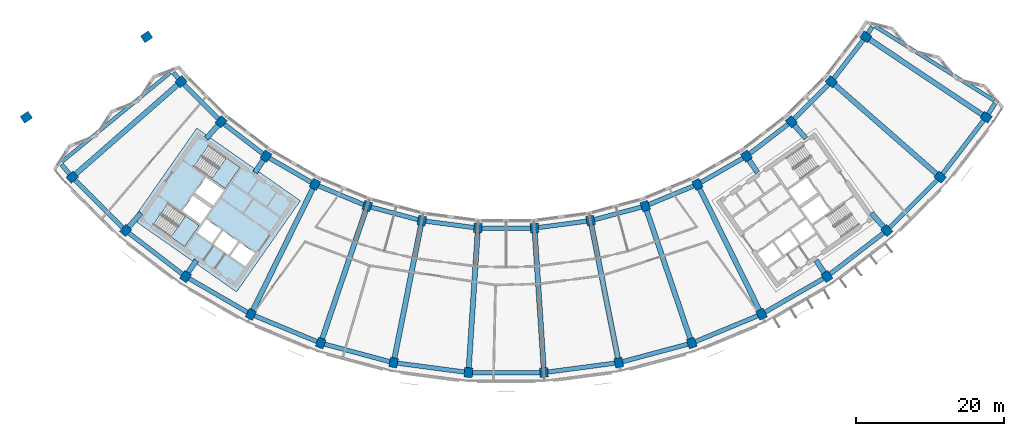
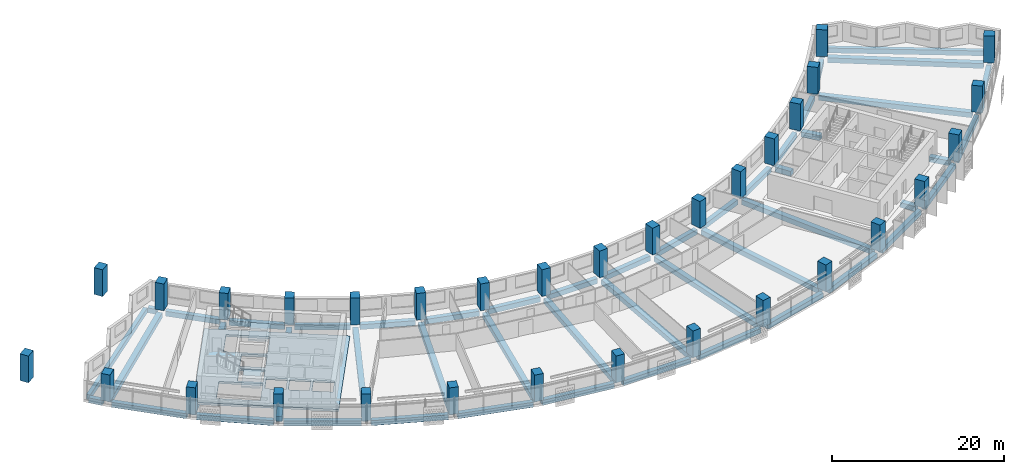
# One storey, part 1 of 26: 53 beams, 32 columns, 3 slabs, 2 elements without a shape of their own.
"""IFC4 building model written with IfcOpenShell, lengths in metres."""

from ifc_helpers import new_model, si_unit, direction, frame, origin, origin_2d, place, context, subcontext, project, spatial, polyline, rectangle, outline, extrude, material, layer, layer_set, material_profile, profile_set, type_object, element, aggregate, save


model = new_model("IFC4")

# Units and contexts
model_context = context("Model", 3, precision=1e-05, world=origin(), true_north=direction((0.0, 1.0)))
body_context = subcontext(model_context, "Body", "Model", "MODEL_VIEW")
ifc_project = project(units=[si_unit("LENGTHUNIT", "METRE"), si_unit("AREAUNIT", "SQUARE_METRE"), si_unit("VOLUMEUNIT", "CUBIC_METRE"), si_unit("PLANEANGLEUNIT", "RADIAN"), si_unit("MASSUNIT", "GRAM", prefix="KILO")], contexts=[model_context])

# Site, building, storey
site_placement = place(None, origin())
site = spatial("IfcSite", under=ifc_project, at=site_placement, CompositionType="ELEMENT")
building_placement = place(site_placement, origin())
building = spatial("IfcBuilding", under=site, at=building_placement, Name="Qamariyya Broadcast Tower", CompositionType="ELEMENT")
storey_placement = place(building_placement, frame((0.0, 0.0, 168.300048828125)))
storey = spatial("IfcBuildingStorey", under=building, at=storey_placement, Name="L39", CompositionType="ELEMENT", Elevation=168.300048828125)

# Columns
ifc_material_1 = material(Name="Concrete C60/75", Category="concrete")
ifc_material_profile_1 = material_profile(ifc_material_1, rectangle(XDim=1.10009765625, YDim=1.300048828125, at=origin_2d()))
ifc_profile_set_1 = profile_set([ifc_material_profile_1], Name="Concrete C60/75")
column_type = type_object("IfcColumnType", Name="RC column 1100 x 1300 C60/75", PredefinedType="COLUMN", material=ifc_profile_set_1)
for number, where, z_axis, x_axis, name in (
    (1, (-43.794677734375, -38.406982421875, 0.0), (0.0, 0.0, 1.0), (0.6593458151, -0.751839807479, 0.0), "Column C8 L39 B-R04"),
    (2, (-58.45556640625, -51.26416015625, 0.0), (0.0, 0.0, 1.0), (0.6593458151, -0.751839807479, 0.0), "Column C8 L39 C-R04"),
    (3, (-38.406982421875, -43.794677734375, 0.0), (0.0, 0.0, 1.0), (0.751839807479, -0.6593458151, 0.0), "Column C8 L39 B-R05"),
    (4, (-51.26416015625, -58.45556640625, 0.0), (0.0, 0.0, 1.0), (0.751839807479, -0.6593458151, 0.0), "Column C8 L39 C-R05"),
    (5, (-32.362060546875, -48.43310546875, 0.0), (0.0, 0.0, 1.0), (0.831469612303, -0.55557023302, 0.0), "Column C8 L39 B-R06"),
    (6, (-43.195556640625, -64.646728515625, 0.0), (0.0, 0.0, 1.0), (0.831469612303, -0.55557023302, 0.0), "Column C8 L39 C-R06"),
    (7, (-25.763427734375, -52.242919921875, 0.0), (0.0, 0.0, 1.0), (0.896872741533, -0.442288690219, 0.0), "Column C8 L39 B-R07"),
    (8, (-34.387939453125, -69.73193359375, 0.0), (0.0, 0.0, 1.0), (0.896872741533, -0.442288690219, 0.0), "Column C8 L39 C-R07"),
    (9, (-18.723876953125, -55.15869140625, 0.0), (0.0, 0.0, 1.0), (0.946930129495, -0.321439465303, 0.0), "Column C8 L39 B-R08"),
    (10, (-24.991943359375, -73.623779296875, 0.0), (0.0, 0.0, 1.0), (0.946930129495, -0.321439465303, 0.0), "Column C8 L39 C-R08"),
    (11, (-11.364013671875, -57.130859375, 0.0), (0.0, 0.0, 1.0), (0.980785280403, -0.195090322016, 0.0), "Column C8 L39 B-R09"),
    (12, (-15.168212890625, -76.256103515625, 0.0), (0.0, 0.0, 1.0), (0.980785280403, -0.195090322016, 0.0), "Column C8 L39 C-R09"),
    (13, (-3.809814453125, -58.125244140625, 0.0), (0.0, 0.0, 1.0), (0.997858923239, -0.06540312923, 0.0), "Column C8 L39 B-R10"),
    (14, (-5.085205078125, -77.58349609375, 0.0), (0.0, 0.0, 1.0), (0.997858923239, -0.06540312923, 0.0), "Column C8 L39 C-R10"),
    (15, (3.809814453125, -58.125244140625, 0.0), (0.0, 0.0, 1.0), (0.997858923239, 0.06540312923, 0.0), "Column C8 L39 B-R11"),
    (16, (5.085205078125, -77.58349609375, 0.0), (0.0, 0.0, 1.0), (0.997858923239, 0.06540312923, 0.0), "Column C8 L39 C-R11"),
    (17, (11.364013671875, -57.130859375, 0.0), (0.0, 0.0, 1.0), (0.980785280403, 0.195090322016, 0.0), "Column C8 L39 B-R12"),
    (18, (15.168212890625, -76.256103515625, 0.0), (0.0, 0.0, 1.0), (0.980785280403, 0.195090322016, 0.0), "Column C8 L39 C-R12"),
    (19, (18.723876953125, -55.15869140625, 0.0), (0.0, 0.0, 1.0), (0.946930129495, 0.321439465303, 0.0), "Column C8 L39 B-R13"),
    (20, (24.991943359375, -73.623779296875, 0.0), (0.0, 0.0, 1.0), (0.946930129495, 0.321439465303, 0.0), "Column C8 L39 C-R13"),
    (21, (25.763427734375, -52.242919921875, 0.0), (0.0, 0.0, 1.0), (0.896872741533, 0.442288690219, 0.0), "Column C8 L39 B-R14"),
    (22, (34.387939453125, -69.73193359375, 0.0), (0.0, 0.0, 1.0), (0.896872741533, 0.442288690219, 0.0), "Column C8 L39 C-R14"),
    (23, (32.362060546875, -48.43310546875, 0.0), (0.0, 0.0, 1.0), (0.831469612303, 0.55557023302, 0.0), "Column C8 L39 B-R15"),
    (24, (43.195556640625, -64.646728515625, 0.0), (0.0, 0.0, 1.0), (0.831469612303, 0.55557023302, 0.0), "Column C8 L39 C-R15"),
    (25, (38.406982421875, -43.794677734375, 0.0), (0.0, 0.0, 1.0), (0.751839807479, 0.6593458151, 0.0), "Column C8 L39 B-R16"),
    (26, (51.26416015625, -58.45556640625, 0.0), (0.0, 0.0, 1.0), (0.751839807479, 0.6593458151, 0.0), "Column C8 L39 C-R16"),
    (27, (43.794677734375, -38.406982421875, 0.0), (0.0, 0.0, 1.0), (0.6593458151, 0.751839807479, 0.0), "Column C8 L39 B-R17"),
    (28, (58.45556640625, -51.26416015625, 0.0), (0.0, 0.0, 1.0), (0.6593458151, 0.751839807479, 0.0), "Column C8 L39 C-R17"),
    (29, (48.43310546875, -32.362060546875, 0.0), (0.0, 0.0, 1.0), (0.55557023302, 0.831469612303, 0.0), "Column C8 L39 B-R18"),
    (30, (64.646728515625, -43.195556640625, 0.0), (0.0, 0.0, 1.0), (0.55557023302, 0.831469612303, 0.0), "Column C8 L39 C-R18"),
    (31, (-48.43310546875, -32.362060546875, 0.0), (0.0, 0.0, 1.0), (0.55557023302, -0.831469612303, 0.0), "Column C8 L39 B-R03"),
    (32, (-64.646728515625, -43.195556640625, 0.0), (0.0, 0.0, 1.0), (0.55557023302, -0.831469612303, 0.0), "Column C8 L39 C-R03"),
):
    element("IfcColumn", number, at=place(storey_placement, frame(where, z_axis=z_axis, x_axis=x_axis)), inside=storey, type_object=column_type, Name=name, PredefinedType="COLUMN", context=body_context, shape_type="SweptSolid", body=[
        extrude(rectangle(XDim=1.10009765625, YDim=1.300048828125, at=origin_2d()), origin(), (0.0, 0.0, 1.0), 3.800048828125),
    ])

# Beams
ifc_material_2 = material(Name="Concrete C40/50", Category="concrete")
ifc_material_profile_2 = material_profile(ifc_material_2, rectangle(XDim=0.60009765625, YDim=0.699951171875, at=origin_2d()))
ifc_profile_set_2 = profile_set([ifc_material_profile_2], Name="Concrete C40/50")
beam_type_1 = type_object("IfcBeamType", Name="RC edge beam 600 x 700 C40/50", PredefinedType="SPANDREL", material=ifc_profile_set_2)
for number, where, z_axis, x_axis, name in (
    (33, (-43.405029296875, -38.796630859375, -0.650146484375), (0.707106781187, -0.707106781187, 0.0), (0.707106781187, 0.707106781187, 0.0), "Edge beam B20 L39 B R04-R05"),
    (34, (-37.9697265625, -44.130126953125, -0.650146484375), (0.793343406719, -0.608774374473, 0.0), (0.608774374473, 0.793343406719, 0.0), "Edge beam B20 L39 B R05-R06"),
):
    element("IfcBeam", number, at=place(storey_placement, frame(where, z_axis=z_axis, x_axis=x_axis)), inside=storey, type_object=beam_type_1, Name=name, PredefinedType="SPANDREL", context=body_context, shape_type="SweptSolid", body=[
        extrude(rectangle(XDim=0.60009765625, YDim=0.699951171875, at=origin_2d()), origin(), (0.0, 0.0, 1.0), 6.517333984375),
    ])
beam_1_placement = place(storey_placement, frame((-31.884521484375, -48.708740234375, -0.650146484375), z_axis=(0.866019015165, -0.500011065251, 0.0), x_axis=(0.500011065251, 0.866019015165, 0.0)))
element("IfcBeam", 35, at=beam_1_placement, inside=storey, type_object=beam_type_1, Name="Edge beam B20 L39 B R06-R07", PredefinedType="SPANDREL", context=body_context, shape_type="SweptSolid", body=[
    extrude(rectangle(XDim=0.60009765625, YDim=0.699951171875, at=origin_2d()), origin(), (0.0, 0.0, 1.0), 6.516845703125),
])
for number, where, z_axis, x_axis, name in (
    (36, (-25.254150390625, -52.453857421875, -0.650146484375), (0.923883967792, -0.382672724475, 0.0), (0.382672724475, 0.923883967792, 0.0), "Edge beam B20 L39 B R07-R08"),
    (37, (-18.19140625, -55.30126953125, -0.650146484375), (0.965923971679, -0.258825966504, 0.0), (0.258825966504, 0.965923971679, 0.0), "Edge beam B20 L39 B R08-R09"),
    (38, (-10.817626953125, -57.20263671875, -0.650146484375), (0.991446388377, -0.130514592953, 0.0), (0.130514592953, 0.991446388377, 0.0), "Edge beam B20 L39 B R09-R10"),
    (39, (-3.258544921875, -58.125244140625, -0.650146484375), (1.0, 0.0, 0.0), (0.0, 1.0, 0.0), "Edge beam B20 L39 B R10-R11"),
    (40, (4.356201171875, -58.05322265625, -0.650146484375), (0.991446388377, 0.130514592953, 0.0), (-0.130514592953, 0.991446388377, 0.0), "Edge beam B20 L39 B R11-R12"),
    (41, (11.896484375, -56.988037109375, -0.650146484375), (0.965923971679, 0.258825966504, 0.0), (-0.258825966504, 0.965923971679, 0.0), "Edge beam B20 L39 B R12-R13"),
    (42, (19.233154296875, -54.94775390625, -0.650146484375), (0.923883967792, 0.382672724475, 0.0), (-0.382672724475, 0.923883967792, 0.0), "Edge beam B20 L39 B R13-R14"),
):
    element("IfcBeam", number, at=place(storey_placement, frame(where, z_axis=z_axis, x_axis=x_axis)), inside=storey, type_object=beam_type_1, Name=name, PredefinedType="SPANDREL", context=body_context, shape_type="SweptSolid", body=[
        extrude(rectangle(XDim=0.60009765625, YDim=0.699951171875, at=origin_2d()), origin(), (0.0, 0.0, 1.0), 6.51708984375),
    ])
beam_2_placement = place(storey_placement, frame((26.24072265625, -51.96728515625, -0.650146484375), z_axis=(0.866019015165, 0.500011065251, 0.0), x_axis=(-0.500011065251, 0.866019015165, 0.0)))
element("IfcBeam", 43, at=beam_2_placement, inside=storey, type_object=beam_type_1, Name="Edge beam B20 L39 B R14-R15", PredefinedType="SPANDREL", context=body_context, shape_type="SweptSolid", body=[
    extrude(rectangle(XDim=0.60009765625, YDim=0.699951171875, at=origin_2d()), origin(), (0.0, 0.0, 1.0), 6.516845703125),
])
for number, where, z_axis, x_axis, name in (
    (44, (32.79931640625, -48.09765625, -0.650146484375), (0.793343406719, 0.608774374473, 0.0), (-0.608774374473, 0.793343406719, 0.0), "Edge beam B20 L39 B R15-R16"),
    (45, (38.796630859375, -43.405029296875, -0.650146484375), (0.707106781187, 0.707106781187, 0.0), (-0.707106781187, 0.707106781187, 0.0), "Edge beam B20 L39 B R16-R17"),
    (46, (44.130126953125, -37.9697265625, -0.650146484375), (0.608774374473, 0.793343406719, 0.0), (-0.793343406719, 0.608774374473, 0.0), "Edge beam B20 L39 B R17-R18"),
):
    element("IfcBeam", number, at=place(storey_placement, frame(where, z_axis=z_axis, x_axis=x_axis)), inside=storey, type_object=beam_type_1, Name=name, PredefinedType="SPANDREL", context=body_context, shape_type="SweptSolid", body=[
        extrude(rectangle(XDim=0.60009765625, YDim=0.699951171875, at=origin_2d()), origin(), (0.0, 0.0, 1.0), 6.517333984375),
    ])
beam_3_placement = place(storey_placement, frame((-58.06591796875, -51.65380859375, -0.650146484375), z_axis=(0.707106781187, -0.707106781187, 0.0), x_axis=(0.707106781187, 0.707106781187, 0.0)))
element("IfcBeam", 47, at=beam_3_placement, inside=storey, type_object=beam_type_1, Name="Edge beam B20 L39 C R04-R05", PredefinedType="SPANDREL", context=body_context, shape_type="SweptSolid", body=[
    extrude(rectangle(XDim=0.60009765625, YDim=0.699951171875, at=origin_2d()), origin(), (0.0, 0.0, 1.0), 9.068115234375),
])
for number, where, z_axis, x_axis, name in (
    (48, (-50.826904296875, -58.791015625, -0.650146484375), (0.793351056372, -0.608764405458, 0.0), (0.608764405458, 0.793351056372, 0.0), "Edge beam B20 L39 C R05-R06"),
    (49, (-42.71826171875, -64.92236328125, -0.650146484375), (0.866025972227, -0.499999015427, 0.0), (0.499999015427, 0.866025972227, 0.0), "Edge beam B20 L39 C R06-R07"),
):
    element("IfcBeam", number, at=place(storey_placement, frame(where, z_axis=z_axis, x_axis=x_axis)), inside=storey, type_object=beam_type_1, Name=name, PredefinedType="SPANDREL", context=body_context, shape_type="SweptSolid", body=[
        extrude(rectangle(XDim=0.60009765625, YDim=0.699951171875, at=origin_2d()), origin(), (0.0, 0.0, 1.0), 9.06787109375),
    ])
beam_4_placement = place(storey_placement, frame((-33.878662109375, -69.94287109375, -0.650146484375), z_axis=(0.923882618409, -0.382675982265, 0.0), x_axis=(0.382675982265, 0.923882618409, 0.0)))
element("IfcBeam", 50, at=beam_4_placement, inside=storey, type_object=beam_type_1, Name="Edge beam B20 L39 C R07-R08", PredefinedType="SPANDREL", context=body_context, shape_type="SweptSolid", body=[
    extrude(rectangle(XDim=0.60009765625, YDim=0.699951171875, at=origin_2d()), origin(), (0.0, 0.0, 1.0), 9.067626953125),
])
for number, where, z_axis, x_axis, name in (
    (51, (-24.45947265625, -73.766357421875, -0.650146484375), (0.965925457615, -0.258820421007, 0.0), (0.258820421007, 0.965925457615, 0.0), "Edge beam B20 L39 C R08-R09"),
    (52, (-14.621826171875, -76.327880859375, -0.650146484375), (0.991444762322, -0.130526944594, 0.0), (0.130526944594, 0.991444762322, 0.0), "Edge beam B20 L39 C R09-R10"),
    (53, (-4.533935546875, -77.58349609375, -0.650146484375), (1.0, 0.0, 0.0), (0.0, 1.0, 0.0), "Edge beam B20 L39 C R10-R11"),
    (54, (5.631591796875, -77.511474609375, -0.650146484375), (0.991444762322, 0.130526944594, 0.0), (-0.130526944594, 0.991444762322, 0.0), "Edge beam B20 L39 C R11-R12"),
    (55, (15.70068359375, -76.11328125, -0.650146484375), (0.965925457615, 0.258820421007, 0.0), (-0.258820421007, 0.965925457615, 0.0), "Edge beam B20 L39 C R12-R13"),
):
    element("IfcBeam", number, at=place(storey_placement, frame(where, z_axis=z_axis, x_axis=x_axis)), inside=storey, type_object=beam_type_1, Name=name, PredefinedType="SPANDREL", context=body_context, shape_type="SweptSolid", body=[
        extrude(rectangle(XDim=0.60009765625, YDim=0.699951171875, at=origin_2d()), origin(), (0.0, 0.0, 1.0), 9.06787109375),
    ])
beam_5_placement = place(storey_placement, frame((25.501220703125, -73.412841796875, -0.650146484375), z_axis=(0.923882618409, 0.382675982265, 0.0), x_axis=(-0.382675982265, 0.923882618409, 0.0)))
element("IfcBeam", 56, at=beam_5_placement, inside=storey, type_object=beam_type_1, Name="Edge beam B20 L39 C R13-R14", PredefinedType="SPANDREL", context=body_context, shape_type="SweptSolid", body=[
    extrude(rectangle(XDim=0.60009765625, YDim=0.699951171875, at=origin_2d()), origin(), (0.0, 0.0, 1.0), 9.067626953125),
])
for number, where, z_axis, x_axis, name in (
    (57, (34.865234375, -69.456298828125, -0.650146484375), (0.866025972227, 0.499999015427, 0.0), (-0.499999015427, 0.866025972227, 0.0), "Edge beam B20 L39 C R14-R15"),
    (58, (43.6328125, -64.311279296875, -0.650146484375), (0.793351056372, 0.608764405458, 0.0), (-0.608764405458, 0.793351056372, 0.0), "Edge beam B20 L39 C R15-R16"),
):
    element("IfcBeam", number, at=place(storey_placement, frame(where, z_axis=z_axis, x_axis=x_axis)), inside=storey, type_object=beam_type_1, Name=name, PredefinedType="SPANDREL", context=body_context, shape_type="SweptSolid", body=[
        extrude(rectangle(XDim=0.60009765625, YDim=0.699951171875, at=origin_2d()), origin(), (0.0, 0.0, 1.0), 9.06787109375),
    ])
beam_6_placement = place(storey_placement, frame((51.65380859375, -58.06591796875, -0.650146484375), z_axis=(0.707106781187, 0.707106781187, 0.0), x_axis=(-0.707106781187, 0.707106781187, 0.0)))
element("IfcBeam", 59, at=beam_6_placement, inside=storey, type_object=beam_type_1, Name="Edge beam B20 L39 C R16-R17", PredefinedType="SPANDREL", context=body_context, shape_type="SweptSolid", body=[
    extrude(rectangle(XDim=0.60009765625, YDim=0.699951171875, at=origin_2d()), origin(), (0.0, 0.0, 1.0), 9.068115234375),
])
beam_7_placement = place(storey_placement, frame((58.791015625, -50.826904296875, -0.650146484375), z_axis=(0.608764405458, 0.793351056372, 0.0), x_axis=(-0.793351056372, 0.608764405458, 0.0)))
element("IfcBeam", 60, at=beam_7_placement, inside=storey, type_object=beam_type_1, Name="Edge beam B20 L39 C R17-R18", PredefinedType="SPANDREL", context=body_context, shape_type="SweptSolid", body=[
    extrude(rectangle(XDim=0.60009765625, YDim=0.699951171875, at=origin_2d()), origin(), (0.0, 0.0, 1.0), 9.06787109375),
])
ifc_material_profile_3 = material_profile(ifc_material_2, rectangle(XDim=0.60009765625, YDim=0.699951171875, at=origin_2d()))
ifc_profile_set_3 = profile_set([ifc_material_profile_3], Name="Concrete C40/50")
beam_type_2 = type_object("IfcBeamType", Name="RC horn beam 600 x 700 C40/50", PredefinedType="BEAM", material=ifc_profile_set_3)
beam_8_placement = place(storey_placement, frame((-44.150634765625, -37.987548828125, -0.650146484375), z_axis=(-0.64732151686, 0.762217064759, 0.0), x_axis=(-0.762217064759, -0.64732151686, 0.0)))
element("IfcBeam", 61, at=beam_8_placement, inside=storey, type_object=beam_type_2, Name="Horn beam B19 L39 W B-R04", PredefinedType="BEAM", context=body_context, shape_type="SweptSolid", body=[
    extrude(rectangle(XDim=0.60009765625, YDim=0.699951171875, at=origin_2d()), origin(), (0.0, 0.0, 1.0), 1.0625),
])
beam_9_placement = place(storey_placement, frame((-58.8115234375, -50.8447265625, -0.650146484375), z_axis=(-0.647265756532, 0.762264416342, 0.0), x_axis=(-0.762264416342, -0.647265756532, 0.0)))
element("IfcBeam", 62, at=beam_9_placement, inside=storey, type_object=beam_type_2, Name="Horn beam B19 L39 W C-R04", PredefinedType="BEAM", context=body_context, shape_type="SweptSolid", body=[
    extrude(rectangle(XDim=0.60009765625, YDim=0.699951171875, at=origin_2d()), origin(), (0.0, 0.0, 1.0), 1.685546875),
])
beam_10_placement = place(storey_placement, frame((48.7314453125, -31.899658203125, -0.650146484375), z_axis=(0.542173983711, 0.840266250296, 0.0), x_axis=(-0.840266250296, 0.542173983711, 0.0)))
element("IfcBeam", 63, at=beam_10_placement, inside=storey, type_object=beam_type_2, Name="Horn beam B19 L39 E B-R18", PredefinedType="BEAM", context=body_context, shape_type="SweptSolid", body=[
    extrude(rectangle(XDim=0.60009765625, YDim=0.699951171875, at=origin_2d()), origin(), (0.0, 0.0, 1.0), 1.062255859375),
])
beam_11_placement = place(storey_placement, frame((64.945068359375, -42.7333984375, -0.650146484375), z_axis=(0.542206034257, 0.840245569114, 0.0), x_axis=(-0.840245569114, 0.542206034257, 0.0)))
element("IfcBeam", 64, at=beam_11_placement, inside=storey, type_object=beam_type_2, Name="Horn beam B19 L39 E C-R18", PredefinedType="BEAM", context=body_context, shape_type="SweptSolid", body=[
    extrude(rectangle(XDim=0.60009765625, YDim=0.699951171875, at=origin_2d()), origin(), (0.0, 0.0, 1.0), 1.685791015625),
])
ifc_material_profile_4 = material_profile(ifc_material_2, rectangle(XDim=0.5, YDim=0.699951171875, at=origin_2d()))
ifc_profile_set_4 = profile_set([ifc_material_profile_4], Name="Concrete C40/50")
beam_type_3 = type_object("IfcBeamType", Name="RC horn cap beam 500 x 700 C40/50", PredefinedType="BEAM", material=ifc_profile_set_4)
for number, where, z_axis, x_axis, name in (
    (65, (-45.23193359375, -37.177734375, -0.650146484375), (-0.77253320347, -0.634974369196, 0.0), (0.634974369196, -0.77253320347, 0.0), "Horn cap beam B21 L39 W B-C"),
    (66, (49.697509765625, -30.955810546875, -0.650146484375), (0.848808645241, -0.528700183246, 0.0), (0.528700183246, 0.848808645241, 0.0), "Horn cap beam B21 L39 E B-C"),
):
    element("IfcBeam", number, at=place(storey_placement, frame(where, z_axis=z_axis, x_axis=x_axis)), inside=storey, type_object=beam_type_3, Name=name, PredefinedType="BEAM", context=body_context, shape_type="SweptSolid", body=[
        extrude(rectangle(XDim=0.5, YDim=0.699951171875, at=origin_2d()), origin(), (0.0, 0.0, 1.0), 18.89990234375),
    ])
ifc_material_profile_5 = material_profile(ifc_material_2, rectangle(XDim=0.699951171875, YDim=0.699951171875, at=origin_2d()))
ifc_profile_set_5 = profile_set([ifc_material_profile_5], Name="Concrete C40/50")
beam_type_4 = type_object("IfcBeamType", Name="RC radial beam 700 x 700 C40/50", PredefinedType="BEAM", material=ifc_profile_set_5)
beam_12_placement = place(storey_placement, frame((-44.283447265625, -38.83544921875, -0.650146484375), z_axis=(-0.751839141307, -0.659346574723, 0.0), x_axis=(0.659346574723, -0.751839141307, 0.0)))
element("IfcBeam", 67, at=beam_12_placement, inside=storey, type_object=beam_type_4, Name="Radial beam B18 L39 R04 B-C", PredefinedType="BEAM", context=body_context, shape_type="SweptSolid", body=[
    extrude(rectangle(XDim=0.699951171875, YDim=0.699951171875, at=origin_2d()), origin(), (0.0, 0.0, 1.0), 18.199951171875),
])
beam_13_placement = place(storey_placement, frame((-38.83544921875, -44.283447265625, -0.650146484375), z_axis=(-0.659381501846, -0.751808509544, 0.0), x_axis=(0.751808509544, -0.659381501846, 0.0)))
element("IfcBeam", 68, at=beam_13_placement, inside=storey, type_object=beam_type_4, Name="Radial beam B18 L39 R05 B-C", PredefinedType="BEAM", context=body_context, shape_type="SweptSolid", body=[
    extrude(rectangle(XDim=0.699951171875, YDim=0.699951171875, at=origin_2d()), origin(), (0.0, 0.0, 1.0), 2.364013671875),
])
beam_14_placement = place(storey_placement, frame((-49.1943359375, -56.095458984375, -0.650146484375), z_axis=(-0.659344451764, -0.75184100309, 0.0), x_axis=(0.75184100309, -0.659344451764, 0.0)))
element("IfcBeam", 69, at=beam_14_placement, inside=storey, type_object=beam_type_4, Name="Radial beam B18 L39 R05 B-C", PredefinedType="BEAM", context=body_context, shape_type="SweptSolid", body=[
    extrude(rectangle(XDim=0.699951171875, YDim=0.699951171875, at=origin_2d()), origin(), (0.0, 0.0, 1.0), 2.489013671875),
])
beam_15_placement = place(storey_placement, frame((-32.72314453125, -48.9736328125, -0.650146484375), z_axis=(-0.555594913414, -0.83145312086, 0.0), x_axis=(0.83145312086, -0.555594913414, 0.0)))
element("IfcBeam", 70, at=beam_15_placement, inside=storey, type_object=beam_type_4, Name="Radial beam B18 L39 R06 B-C", PredefinedType="BEAM", context=body_context, shape_type="SweptSolid", body=[
    extrude(rectangle(XDim=0.699951171875, YDim=0.699951171875, at=origin_2d()), origin(), (0.0, 0.0, 1.0), 2.014404296875),
])
beam_16_placement = place(storey_placement, frame((-41.733154296875, -62.458251953125, -0.650146484375), z_axis=(-0.555637861027, -0.831424420734, 0.0), x_axis=(0.831424420734, -0.555637861027, 0.0)))
element("IfcBeam", 71, at=beam_16_placement, inside=storey, type_object=beam_type_4, Name="Radial beam B18 L39 R06 B-C", PredefinedType="BEAM", context=body_context, shape_type="SweptSolid", body=[
    extrude(rectangle(XDim=0.699951171875, YDim=0.699951171875, at=origin_2d()), origin(), (0.0, 0.0, 1.0), 1.982177734375),
])
beam_17_placement = place(storey_placement, frame((-26.05078125, -52.82568359375, -0.650146484375), z_axis=(-0.44228110273, -0.896876483228, 0.0), x_axis=(0.896876483228, -0.44228110273, 0.0)))
element("IfcBeam", 72, at=beam_17_placement, inside=storey, type_object=beam_type_4, Name="Radial beam B18 L39 R07 B-C", PredefinedType="BEAM", context=body_context, shape_type="SweptSolid", body=[
    extrude(rectangle(XDim=0.699951171875, YDim=0.699951171875, at=origin_2d()), origin(), (0.0, 0.0, 1.0), 18.2001953125),
])
beam_18_placement = place(storey_placement, frame((-18.932861328125, -55.774169921875, -0.650146484375), z_axis=(-0.321434466477, -0.946931826353, 0.0), x_axis=(0.946931826353, -0.321434466477, 0.0)))
element("IfcBeam", 73, at=beam_18_placement, inside=storey, type_object=beam_type_4, Name="Radial beam B18 L39 R08 B-C", PredefinedType="BEAM", context=body_context, shape_type="SweptSolid", body=[
    extrude(rectangle(XDim=0.699951171875, YDim=0.699951171875, at=origin_2d()), origin(), (0.0, 0.0, 1.0), 18.199951171875),
])
beam_19_placement = place(storey_placement, frame((-11.49072265625, -57.768310546875, -0.650146484375), z_axis=(-0.195097061093, -0.980783939893, 0.0), x_axis=(0.980783939893, -0.195097061093, 0.0)))
element("IfcBeam", 74, at=beam_19_placement, inside=storey, type_object=beam_type_4, Name="Radial beam B18 L39 R09 B-C", PredefinedType="BEAM", context=body_context, shape_type="SweptSolid", body=[
    extrude(rectangle(XDim=0.699951171875, YDim=0.699951171875, at=origin_2d()), origin(), (0.0, 0.0, 1.0), 18.2001953125),
])
for number, where, z_axis, x_axis, name in (
    (75, (-3.852294921875, -58.77392578125, -0.650146484375), (-0.065395361188, -0.997859432353, 0.0), (0.997859432353, -0.065395361188, 0.0), "Radial beam B18 L39 R10 B-C"),
    (76, (3.852294921875, -58.77392578125, -0.650146484375), (0.065395361188, -0.997859432353, 0.0), (0.997859432353, 0.065395361188, 0.0), "Radial beam B18 L39 R11 B-C"),
):
    element("IfcBeam", number, at=place(storey_placement, frame(where, z_axis=z_axis, x_axis=x_axis)), inside=storey, type_object=beam_type_4, Name=name, PredefinedType="BEAM", context=body_context, shape_type="SweptSolid", body=[
        extrude(rectangle(XDim=0.699951171875, YDim=0.699951171875, at=origin_2d()), origin(), (0.0, 0.0, 1.0), 18.199951171875),
    ])
beam_20_placement = place(storey_placement, frame((11.49072265625, -57.768310546875, -0.650146484375), z_axis=(0.195097061093, -0.980783939893, 0.0), x_axis=(0.980783939893, 0.195097061093, 0.0)))
element("IfcBeam", 77, at=beam_20_placement, inside=storey, type_object=beam_type_4, Name="Radial beam B18 L39 R12 B-C", PredefinedType="BEAM", context=body_context, shape_type="SweptSolid", body=[
    extrude(rectangle(XDim=0.699951171875, YDim=0.699951171875, at=origin_2d()), origin(), (0.0, 0.0, 1.0), 18.2001953125),
])
beam_21_placement = place(storey_placement, frame((18.932861328125, -55.774169921875, -0.650146484375), z_axis=(0.321434466477, -0.946931826353, 0.0), x_axis=(0.946931826353, 0.321434466477, 0.0)))
element("IfcBeam", 78, at=beam_21_placement, inside=storey, type_object=beam_type_4, Name="Radial beam B18 L39 R13 B-C", PredefinedType="BEAM", context=body_context, shape_type="SweptSolid", body=[
    extrude(rectangle(XDim=0.699951171875, YDim=0.699951171875, at=origin_2d()), origin(), (0.0, 0.0, 1.0), 18.199951171875),
])
beam_22_placement = place(storey_placement, frame((26.05078125, -52.82568359375, -0.650146484375), z_axis=(0.44228110273, -0.896876483228, 0.0), x_axis=(0.896876483228, 0.44228110273, 0.0)))
element("IfcBeam", 79, at=beam_22_placement, inside=storey, type_object=beam_type_4, Name="Radial beam B18 L39 R14 B-C", PredefinedType="BEAM", context=body_context, shape_type="SweptSolid", body=[
    extrude(rectangle(XDim=0.699951171875, YDim=0.699951171875, at=origin_2d()), origin(), (0.0, 0.0, 1.0), 18.2001953125),
])
beam_23_placement = place(storey_placement, frame((32.72314453125, -48.9736328125, -0.650146484375), z_axis=(0.555594913414, -0.83145312086, 0.0), x_axis=(0.83145312086, 0.555594913414, 0.0)))
element("IfcBeam", 80, at=beam_23_placement, inside=storey, type_object=beam_type_4, Name="Radial beam B18 L39 R15 B-C", PredefinedType="BEAM", context=body_context, shape_type="SweptSolid", body=[
    extrude(rectangle(XDim=0.699951171875, YDim=0.699951171875, at=origin_2d()), origin(), (0.0, 0.0, 1.0), 2.014404296875),
])
beam_24_placement = place(storey_placement, frame((41.733154296875, -62.458251953125, -0.650146484375), z_axis=(0.555637861027, -0.831424420734, 0.0), x_axis=(0.831424420734, 0.555637861027, 0.0)))
element("IfcBeam", 81, at=beam_24_placement, inside=storey, type_object=beam_type_4, Name="Radial beam B18 L39 R15 B-C", PredefinedType="BEAM", context=body_context, shape_type="SweptSolid", body=[
    extrude(rectangle(XDim=0.699951171875, YDim=0.699951171875, at=origin_2d()), origin(), (0.0, 0.0, 1.0), 1.982177734375),
])
beam_25_placement = place(storey_placement, frame((38.83544921875, -44.283447265625, -0.650146484375), z_axis=(0.659381501846, -0.751808509544, 0.0), x_axis=(0.751808509544, 0.659381501846, 0.0)))
element("IfcBeam", 82, at=beam_25_placement, inside=storey, type_object=beam_type_4, Name="Radial beam B18 L39 R16 B-C", PredefinedType="BEAM", context=body_context, shape_type="SweptSolid", body=[
    extrude(rectangle(XDim=0.699951171875, YDim=0.699951171875, at=origin_2d()), origin(), (0.0, 0.0, 1.0), 2.364013671875),
])
beam_26_placement = place(storey_placement, frame((49.1943359375, -56.095458984375, -0.650146484375), z_axis=(0.659344451764, -0.75184100309, 0.0), x_axis=(0.75184100309, 0.659344451764, 0.0)))
element("IfcBeam", 83, at=beam_26_placement, inside=storey, type_object=beam_type_4, Name="Radial beam B18 L39 R16 B-C", PredefinedType="BEAM", context=body_context, shape_type="SweptSolid", body=[
    extrude(rectangle(XDim=0.699951171875, YDim=0.699951171875, at=origin_2d()), origin(), (0.0, 0.0, 1.0), 2.489013671875),
])
beam_27_placement = place(storey_placement, frame((44.283447265625, -38.83544921875, -0.650146484375), z_axis=(0.751839141307, -0.659346574723, 0.0), x_axis=(0.659346574723, 0.751839141307, 0.0)))
element("IfcBeam", 84, at=beam_27_placement, inside=storey, type_object=beam_type_4, Name="Radial beam B18 L39 R17 B-C", PredefinedType="BEAM", context=body_context, shape_type="SweptSolid", body=[
    extrude(rectangle(XDim=0.699951171875, YDim=0.699951171875, at=origin_2d()), origin(), (0.0, 0.0, 1.0), 18.199951171875),
])
beam_28_placement = place(storey_placement, frame((48.9736328125, -32.72314453125, -0.650146484375), z_axis=(0.831467855631, -0.555572862056, 0.0), x_axis=(0.555572862056, 0.831467855631, 0.0)))
element("IfcBeam", 85, at=beam_28_placement, inside=storey, type_object=beam_type_4, Name="Radial beam B18 L39 R18 B-C", PredefinedType="BEAM", context=body_context, shape_type="SweptSolid", body=[
    extrude(rectangle(XDim=0.699951171875, YDim=0.699951171875, at=origin_2d()), origin(), (0.0, 0.0, 1.0), 18.19970703125),
])

# Slab
ifc_layer_1 = layer(ifc_material_2, 0.300048828125)
ifc_layer_set_1 = layer_set([ifc_layer_1], Name="Core floor slab 300 mm Concrete C40/50")
slab_type_1 = type_object("IfcSlabType", Name="Core floor slab 300 mm Concrete C40/50", PredefinedType="FLOOR", material=ifc_layer_set_1)
slab_1_placement = place(storey_placement, frame((0.0, 0.0, -0.300048828125)))
element("IfcSlab", 86, at=slab_1_placement, inside=storey, type_object=slab_type_1, Name="k-W-L39-slab", PredefinedType="FLOOR", context=body_context, shape_type="SweptSolid", body=[
    extrude(outline(polyline([(-50.286376953125, -56.95751953125), (-36.32373046875, -66.734375), (-27.719970703125, -54.447021484375), (-41.6826171875, -44.67041015625), (-50.286376953125, -56.95751953125)]), holes=[polyline([(-33.87353515625, -61.49169921875), (-35.88037109375, -60.08642578125), (-37.142333984375, -61.888427734375), (-35.13525390625, -63.293701171875), (-33.87353515625, -61.49169921875)]), polyline([(-36.126220703125, -59.914306640625), (-38.133056640625, -58.509033203125), (-39.394775390625, -60.311279296875), (-37.387939453125, -61.716552734375), (-36.126220703125, -59.914306640625)]), polyline([(-38.378662109375, -58.3369140625), (-40.3857421875, -56.931640625), (-41.6474609375, -58.73388671875), (-39.640625, -60.13916015625), (-38.378662109375, -58.3369140625)]), polyline([(-39.742431640625, -55.489990234375), (-42.199951171875, -53.769287109375), (-43.6337890625, -55.817138671875), (-41.17626953125, -57.537841796875), (-39.742431640625, -55.489990234375)]), polyline([(-39.45556640625, -55.080322265625), (-41.9130859375, -53.359619140625), (-40.47900390625, -51.311767578125), (-38.021728515625, -53.032470703125), (-39.45556640625, -55.080322265625)]), polyline([(-42.06103515625, -49.837890625), (-37.849609375, -52.78662109375), (-35.870849609375, -49.960693359375), (-40.082275390625, -47.01171875), (-42.06103515625, -49.837890625)]), polyline([(-47.538818359375, -57.66064453125), (-43.3271484375, -60.609619140625), (-41.348388671875, -57.783447265625), (-45.559814453125, -54.834716796875), (-47.538818359375, -57.66064453125)])]), origin(), (0.0, 0.0, 1.0), 0.300048828125),
])

# Stair, slab
ifc_material_3 = material(Name="Concrete C50/60", Category="concrete")
stair_type = type_object("IfcStairType", Name="Exit stair 22 risers of 173 mm", PredefinedType="HALF_TURN_STAIR", material=ifc_material_3)
stair_1_placement = place(storey_placement, origin())
stair_1 = element("IfcStair", 87, at=stair_1_placement, inside=storey, type_object=stair_type, Name="L39 Stair W2", PredefinedType="HALF_TURN_STAIR")
ifc_layer_2 = layer(ifc_material_3, 0.199951171875)
ifc_layer_set_2 = layer_set([ifc_layer_2], Name="Stair landing")
slab_type_2 = type_object("IfcSlabType", Name="Stair landing", PredefinedType="LANDING", material=ifc_layer_set_2)
slab_2_placement = place(storey_placement, frame((0.0, 0.0, 1.699951171875)))
slab_2 = element("IfcSlab", 88, at=slab_2_placement, type_object=slab_type_2, Name="ST-W2 landing 1", PredefinedType="LANDING", context=body_context, shape_type="SweptSolid", body=[
    extrude(outline(polyline([(-39.692138671875, -51.49658203125), (-37.849609375, -52.78662109375), (-35.870849609375, -49.960693359375), (-37.71337890625, -48.67041015625), (-39.692138671875, -51.49658203125)])), origin(), (0.0, 0.0, 1.0), 0.199951171875),
])
aggregate(stair_1, [slab_2])

stair_2_placement = place(storey_placement, origin())
stair_2 = element("IfcStair", 89, at=stair_2_placement, inside=storey, type_object=stair_type, Name="L39 Stair W1", PredefinedType="HALF_TURN_STAIR")
slab_3_placement = place(storey_placement, frame((0.0, 0.0, 1.699951171875)))
slab_3 = element("IfcSlab", 90, at=slab_3_placement, type_object=slab_type_2, Name="ST-W1 landing 1", PredefinedType="LANDING", context=body_context, shape_type="SweptSolid", body=[
    extrude(outline(polyline([(-45.169677734375, -59.319580078125), (-43.3271484375, -60.609619140625), (-41.348388671875, -57.783447265625), (-43.19091796875, -56.493408203125), (-45.169677734375, -59.319580078125)])), origin(), (0.0, 0.0, 1.0), 0.199951171875),
])
aggregate(stair_2, [slab_3])

save(model, "model.ifc")
